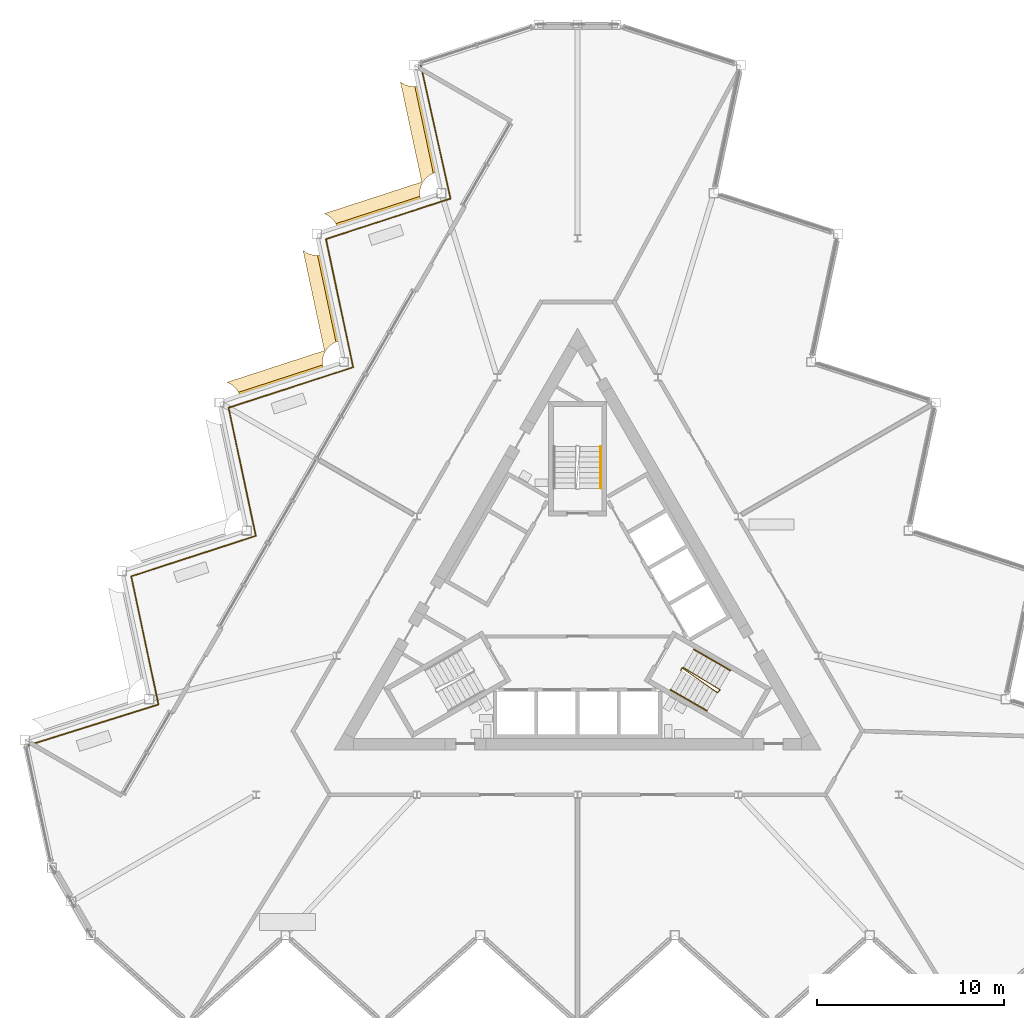
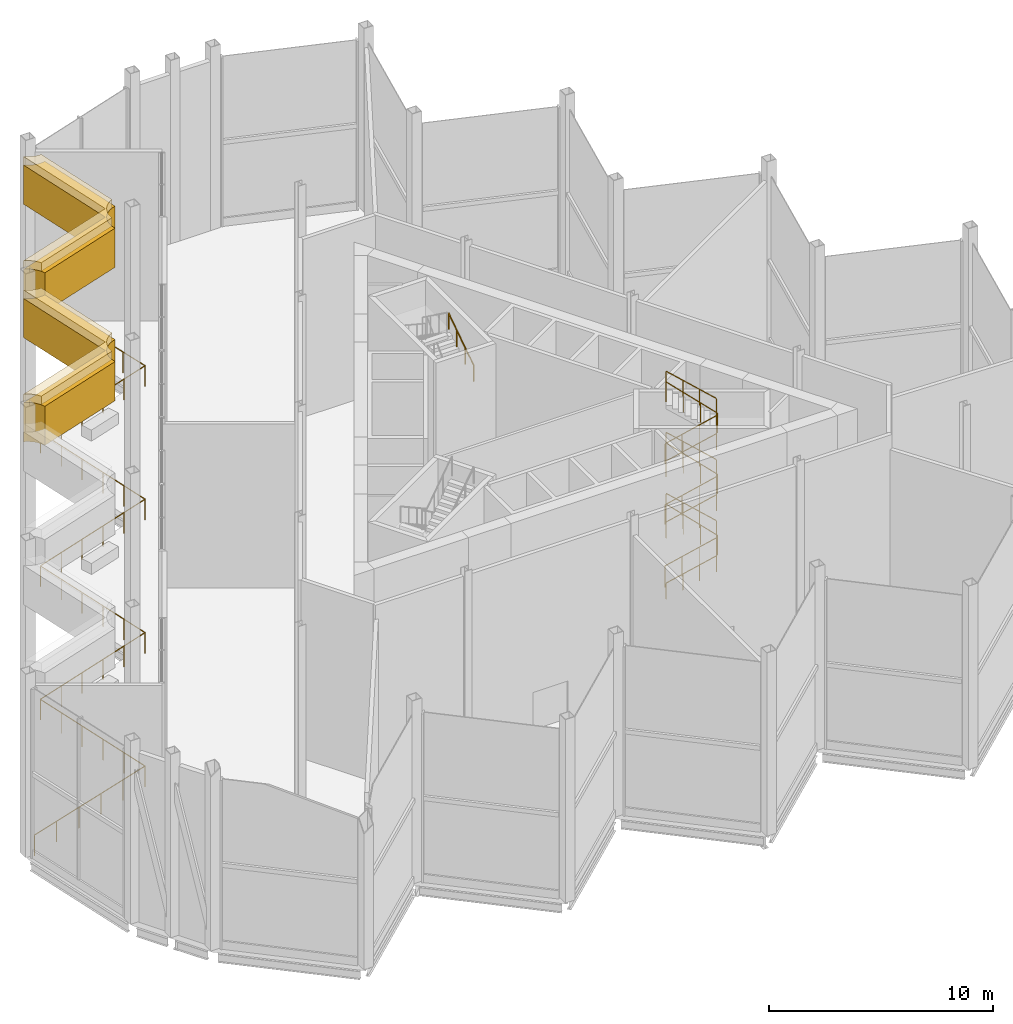
# One storey, part 16 of 18: 9 railings, 4 coverings.
"""IFC4 building model written with IfcOpenShell, lengths in metres."""

from ifc_helpers import new_model, si_unit, direction, frame, origin, origin_2d, place, context, subcontext, project, spatial, polyline, circle, outline, extrude, material, layer, layer_set, type_object, element, save


model = new_model("IFC4")

# Units and contexts
model_context = context("Model", 3, precision=1e-05, world=origin(), true_north=direction((0.0, 1.0)))
body_context = subcontext(model_context, "Body", "Model", "MODEL_VIEW")
ifc_project = project(units=[si_unit("LENGTHUNIT", "METRE"), si_unit("AREAUNIT", "SQUARE_METRE"), si_unit("VOLUMEUNIT", "CUBIC_METRE"), si_unit("PLANEANGLEUNIT", "RADIAN"), si_unit("MASSUNIT", "GRAM", prefix="KILO")], contexts=[model_context])

# Site, building, storey
site_placement = place(None, origin())
site = spatial("IfcSite", under=ifc_project, at=site_placement, CompositionType="ELEMENT")
building_placement = place(site_placement, origin())
building = spatial("IfcBuilding", under=site, at=building_placement, Name="Cormorant Prow Tower", CompositionType="ELEMENT")
storey_placement = place(building_placement, frame((0.0, 0.0, 405.199951171875)))
storey = spatial("IfcBuildingStorey", under=building, at=storey_placement, Name="L93", CompositionType="ELEMENT", Elevation=405.199951171875)

# Railings
ifc_material_1 = material(Name="Stainless steel", Category="steel")
railing_type_1 = type_object("IfcRailingType", Name="Stair guard 1100", PredefinedType="GUARDRAIL", material=ifc_material_1)
railing_1_placement = place(storey_placement, frame((5.510009765625, -3.267822265625, 0.0)))
element("IfcRailing", 1, at=railing_1_placement, inside=storey, type_object=railing_type_1, Name="L93 ST2 stair guard 1", PredefinedType="GUARDRAIL", context=body_context, shape_type="SweptSolid", body=[
    extrude(circle(Radius=0.02392578125, at=origin_2d()), frame((0.0, 0.0, 1.076171875), z_axis=(0.501036270542, 0.865426285481, 0.0), x_axis=(-0.865426285481, 0.501036270542, 0.0)), (0.0, 0.0, 1.0), 0.150146484375),
    extrude(circle(Radius=0.02392578125, at=origin_2d()), frame((0.0751953125, 0.1298828125, 1.076171875), z_axis=(0.663221673184, -0.464246572478, 0.587036738341), x_axis=(0.573455215813, 0.819236910458, 0.0)), (0.0, 0.0, 1.0), 2.83935546875),
    extrude(circle(Radius=0.02392578125, at=origin_2d()), frame((1.958251953125, -1.188232421875, 2.74267578125), z_axis=(0.695164929852, 0.718850276695, 0.0), x_axis=(-0.718850276695, 0.695164929852, 0.0)), (0.0, 0.0, 1.0), 0.2060546875),
    extrude(circle(Radius=0.02392578125, at=origin_2d()), frame((2.1015625, -1.0400390625, 2.74267578125), z_axis=(-0.69128044623, 0.419456667722, 0.588376961278), x_axis=(-0.518752825935, -0.854924268918, 0.0)), (0.0, 0.0, 1.0), 2.832763671875),
    extrude(circle(Radius=0.02392578125, at=origin_2d()), frame((0.143310546875, 0.148193359375, 4.40966796875), z_axis=(-0.965715946433, -0.259601060869, 0.0), x_axis=(0.259601060869, -0.965715946433, 0.0)), (0.0, 0.0, 1.0), 0.070556640625),
    extrude(circle(Radius=0.02392578125, at=origin_2d()), frame((0.0751953125, 0.1298828125, 4.40966796875), z_axis=(0.663255151256, -0.464270006694, 0.586980378902), x_axis=(0.573455215813, 0.819236910458, 0.0)), (0.0, 0.0, 1.0), 2.839111328125),
    extrude(circle(Radius=0.02392578125, at=origin_2d()), frame((1.958251953125, -1.188232421875, 6.076171875), z_axis=(0.695164929852, 0.718850276695, 0.0), x_axis=(-0.718850276695, 0.695164929852, 0.0)), (0.0, 0.0, 1.0), 0.2060546875),
    extrude(circle(Radius=0.02392578125, at=origin_2d()), frame((2.1015625, -1.0400390625, 6.076171875), z_axis=(-0.69128044623, 0.419456667722, 0.588376961278), x_axis=(-0.518752825935, -0.854924268918, 0.0)), (0.0, 0.0, 1.0), 2.832763671875),
    extrude(circle(Radius=0.02392578125, at=origin_2d()), frame((0.143310546875, 0.148193359375, 7.74267578125), z_axis=(-0.965715946433, -0.259601060869, 0.0), x_axis=(0.259601060869, -0.965715946433, 0.0)), (0.0, 0.0, 1.0), 0.070556640625),
    extrude(circle(Radius=0.02392578125, at=origin_2d()), frame((0.0751953125, 0.1298828125, 7.74267578125), z_axis=(0.663221673184, -0.464246572478, 0.587036738341), x_axis=(0.573455215813, 0.819236910458, 0.0)), (0.0, 0.0, 1.0), 2.83935546875),
    extrude(circle(Radius=0.02392578125, at=origin_2d()), frame((1.958251953125, -1.188232421875, 9.40966796875), z_axis=(0.695164929852, 0.718850276695, 0.0), x_axis=(-0.718850276695, 0.695164929852, 0.0)), (0.0, 0.0, 1.0), 0.2060546875),
    extrude(circle(Radius=0.02392578125, at=origin_2d()), frame((2.1015625, -1.0400390625, 9.40966796875), z_axis=(-0.691315500176, 0.419477937833, 0.588320608927), x_axis=(-0.518752825935, -0.854924268918, 0.0)), (0.0, 0.0, 1.0), 2.832763671875),
    extrude(circle(Radius=0.02099609375, at=origin_2d()), origin(), (0.0, 0.0, 1.0), 1.052001953125),
    extrude(circle(Radius=0.02099609375, at=origin_2d()), frame((0.0751953125, 0.1298828125, 0.0)), (0.0, 0.0, 1.0), 1.052001953125),
    extrude(circle(Radius=0.02099609375, at=origin_2d()), frame((0.702880859375, -0.3095703125, 0.5556640625)), (0.0, 0.0, 1.0), 1.052001953125),
    extrude(circle(Radius=0.02099609375, at=origin_2d()), frame((1.33056640625, -0.748779296875, 1.111083984375)), (0.0, 0.0, 1.0), 1.052001953125),
    extrude(circle(Radius=0.02099609375, at=origin_2d()), frame((1.958251953125, -1.188232421875, 1.666748046875)), (0.0, 0.0, 1.0), 1.052001953125),
    extrude(circle(Radius=0.02099609375, at=origin_2d()), frame((2.1015625, -1.0400390625, 1.666748046875)), (0.0, 0.0, 1.0), 1.052001953125),
    extrude(circle(Radius=0.02099609375, at=origin_2d()), frame((1.44873046875, -0.64404296875, 2.222412109375)), (0.0, 0.0, 1.0), 1.052001953125),
    extrude(circle(Radius=0.02099609375, at=origin_2d()), frame((0.796142578125, -0.247802734375, 2.77783203125)), (0.0, 0.0, 1.0), 1.052001953125),
    extrude(circle(Radius=0.02099609375, at=origin_2d()), frame((0.143310546875, 0.148193359375, 3.33349609375)), (0.0, 0.0, 1.0), 1.052001953125),
    extrude(circle(Radius=0.02099609375, at=origin_2d()), frame((0.0751953125, 0.1298828125, 3.33349609375)), (0.0, 0.0, 1.0), 1.052001953125),
    extrude(circle(Radius=0.02099609375, at=origin_2d()), frame((0.702880859375, -0.3095703125, 3.888916015625)), (0.0, 0.0, 1.0), 1.052001953125),
    extrude(circle(Radius=0.02099609375, at=origin_2d()), frame((1.33056640625, -0.748779296875, 4.444580078125)), (0.0, 0.0, 1.0), 1.052001953125),
    extrude(circle(Radius=0.02099609375, at=origin_2d()), frame((1.958251953125, -1.188232421875, 5.0)), (0.0, 0.0, 1.0), 1.052001953125),
    extrude(circle(Radius=0.02099609375, at=origin_2d()), frame((2.1015625, -1.0400390625, 5.0)), (0.0, 0.0, 1.0), 1.052001953125),
    extrude(circle(Radius=0.02099609375, at=origin_2d()), frame((1.44873046875, -0.64404296875, 5.5556640625)), (0.0, 0.0, 1.0), 1.052001953125),
    extrude(circle(Radius=0.02099609375, at=origin_2d()), frame((0.796142578125, -0.247802734375, 6.111083984375)), (0.0, 0.0, 1.0), 1.052001953125),
    extrude(circle(Radius=0.02099609375, at=origin_2d()), frame((0.143310546875, 0.148193359375, 6.666748046875)), (0.0, 0.0, 1.0), 1.052001953125),
    extrude(circle(Radius=0.02099609375, at=origin_2d()), frame((0.0751953125, 0.1298828125, 6.666748046875)), (0.0, 0.0, 1.0), 1.052001953125),
    extrude(circle(Radius=0.02099609375, at=origin_2d()), frame((0.702880859375, -0.3095703125, 7.222412109375)), (0.0, 0.0, 1.0), 1.052001953125),
    extrude(circle(Radius=0.02099609375, at=origin_2d()), frame((1.33056640625, -0.748779296875, 7.77783203125)), (0.0, 0.0, 1.0), 1.052001953125),
    extrude(circle(Radius=0.02099609375, at=origin_2d()), frame((1.958251953125, -1.188232421875, 8.33349609375)), (0.0, 0.0, 1.0), 1.052001953125),
    extrude(circle(Radius=0.02099609375, at=origin_2d()), frame((2.1015625, -1.0400390625, 8.33349609375)), (0.0, 0.0, 1.0), 1.052001953125),
    extrude(circle(Radius=0.02099609375, at=origin_2d()), frame((1.44873046875, -0.64404296875, 8.888916015625)), (0.0, 0.0, 1.0), 1.052001953125),
    extrude(circle(Radius=0.02099609375, at=origin_2d()), frame((0.796142578125, -0.247802734375, 9.444580078125)), (0.0, 0.0, 1.0), 1.052001953125),
    extrude(circle(Radius=0.02099609375, at=origin_2d()), frame((0.143310546875, 0.148193359375, 10.0)), (0.0, 0.0, 1.0), 1.052001953125),
])
ifc_material_2 = material(Name="Stainless steel", Category="steel")
railing_type_2 = type_object("IfcRailingType", Name="Stair handrail 900", PredefinedType="HANDRAIL", material=ifc_material_2)
railing_2_placement = place(storey_placement, frame((4.968994140625, -4.30517578125, 0.185302734375)))
element("IfcRailing", 2, at=railing_2_placement, inside=storey, type_object=railing_type_2, Name="L93 ST2 stair handrail 1", PredefinedType="HANDRAIL", context=body_context, shape_type="SweptSolid", body=[
    extrude(circle(Radius=0.02392578125, at=origin_2d()), frame((0.0, 0.0, 0.8759765625), z_axis=(0.72229244732, -0.417102296828, 0.551651424838), x_axis=(0.500077830873, 0.865980463445, 0.0)), (0.0, 0.0, 1.0), 2.685546875),
    extrude(circle(Radius=0.02099609375, at=origin_2d()), origin(), (0.0, 0.0, 1.0), 0.851806640625),
    extrude(circle(Radius=0.02099609375, at=origin_2d()), frame((0.646484375, -0.373291015625, 0.493896484375)), (0.0, 0.0, 1.0), 0.851806640625),
    extrude(circle(Radius=0.02099609375, at=origin_2d()), frame((1.293212890625, -0.746826171875, 0.987548828125)), (0.0, 0.0, 1.0), 0.851806640625),
    extrude(circle(Radius=0.02099609375, at=origin_2d()), frame((1.939697265625, -1.1201171875, 1.4814453125)), (0.0, 0.0, 1.0), 0.851806640625),
])
railing_3_placement = place(storey_placement, frame((8.15283203125, -3.2705078125, 1.851806640625)))
element("IfcRailing", 3, at=railing_3_placement, inside=storey, type_object=railing_type_2, Name="L93 ST2 stair handrail 2", PredefinedType="HANDRAIL", context=body_context, shape_type="SweptSolid", body=[
    extrude(circle(Radius=0.02392578125, at=origin_2d()), frame((0.0, 0.0, 0.8759765625), z_axis=(-0.72232708515, 0.416978900023, 0.551699355622), x_axis=(-0.49994888933, -0.866054910533, 0.0)), (0.0, 0.0, 1.0), 2.685791015625),
    extrude(circle(Radius=0.02099609375, at=origin_2d()), origin(), (0.0, 0.0, 1.0), 0.851806640625),
    extrude(circle(Radius=0.02099609375, at=origin_2d()), frame((-0.646728515625, 0.373291015625, 0.493896484375)), (0.0, 0.0, 1.0), 0.851806640625),
    extrude(circle(Radius=0.02099609375, at=origin_2d()), frame((-1.293212890625, 0.74658203125, 0.98779296875)), (0.0, 0.0, 1.0), 0.851806640625),
    extrude(circle(Radius=0.02099609375, at=origin_2d()), frame((-1.93994140625, 1.119873046875, 1.481689453125)), (0.0, 0.0, 1.0), 0.851806640625),
])
railing_4_placement = place(storey_placement, frame((4.968994140625, -4.30517578125, 3.5185546875)))
element("IfcRailing", 4, at=railing_4_placement, inside=storey, type_object=railing_type_2, Name="L93 ST2 stair handrail 3", PredefinedType="HANDRAIL", context=body_context, shape_type="SweptSolid", body=[
    extrude(circle(Radius=0.02392578125, at=origin_2d()), frame((0.0, 0.0, 0.8759765625), z_axis=(0.72229244732, -0.417102296828, 0.551651424838), x_axis=(0.500077830873, 0.865980463445, 0.0)), (0.0, 0.0, 1.0), 2.685546875),
    extrude(circle(Radius=0.02099609375, at=origin_2d()), origin(), (0.0, 0.0, 1.0), 0.851806640625),
    extrude(circle(Radius=0.02099609375, at=origin_2d()), frame((0.646484375, -0.373291015625, 0.493896484375)), (0.0, 0.0, 1.0), 0.851806640625),
    extrude(circle(Radius=0.02099609375, at=origin_2d()), frame((1.293212890625, -0.746826171875, 0.987548828125)), (0.0, 0.0, 1.0), 0.851806640625),
    extrude(circle(Radius=0.02099609375, at=origin_2d()), frame((1.939697265625, -1.1201171875, 1.4814453125)), (0.0, 0.0, 1.0), 0.851806640625),
])
railing_5_placement = place(storey_placement, frame((8.15283203125, -3.2705078125, 5.185302734375)))
element("IfcRailing", 5, at=railing_5_placement, inside=storey, type_object=railing_type_2, Name="L93 ST2 stair handrail 4", PredefinedType="HANDRAIL", context=body_context, shape_type="SweptSolid", body=[
    extrude(circle(Radius=0.02392578125, at=origin_2d()), frame((0.0, 0.0, 0.8759765625), z_axis=(-0.722363311002, 0.416999812178, 0.551636115172), x_axis=(-0.49994888933, -0.866054910533, 0.0)), (0.0, 0.0, 1.0), 2.685546875),
    extrude(circle(Radius=0.02099609375, at=origin_2d()), origin(), (0.0, 0.0, 1.0), 0.851806640625),
    extrude(circle(Radius=0.02099609375, at=origin_2d()), frame((-0.646728515625, 0.373291015625, 0.493896484375)), (0.0, 0.0, 1.0), 0.851806640625),
    extrude(circle(Radius=0.02099609375, at=origin_2d()), frame((-1.293212890625, 0.74658203125, 0.987548828125)), (0.0, 0.0, 1.0), 0.851806640625),
    extrude(circle(Radius=0.02099609375, at=origin_2d()), frame((-1.93994140625, 1.119873046875, 1.4814453125)), (0.0, 0.0, 1.0), 0.851806640625),
])
railing_6_placement = place(storey_placement, frame((4.968994140625, -4.30517578125, 6.851806640625)))
element("IfcRailing", 6, at=railing_6_placement, inside=storey, type_object=railing_type_2, Name="L93 ST2 stair handrail 5", PredefinedType="HANDRAIL", context=body_context, shape_type="SweptSolid", body=[
    extrude(circle(Radius=0.02392578125, at=origin_2d()), frame((0.0, 0.0, 0.8759765625), z_axis=(0.722256223011, -0.417081378373, 0.551714665507), x_axis=(0.500077830873, 0.865980463445, 0.0)), (0.0, 0.0, 1.0), 2.685546875),
    extrude(circle(Radius=0.02099609375, at=origin_2d()), origin(), (0.0, 0.0, 1.0), 0.851806640625),
    extrude(circle(Radius=0.02099609375, at=origin_2d()), frame((0.646484375, -0.373291015625, 0.493896484375)), (0.0, 0.0, 1.0), 0.851806640625),
    extrude(circle(Radius=0.02099609375, at=origin_2d()), frame((1.293212890625, -0.746826171875, 0.98779296875)), (0.0, 0.0, 1.0), 0.851806640625),
    extrude(circle(Radius=0.02099609375, at=origin_2d()), frame((1.939697265625, -1.1201171875, 1.481689453125)), (0.0, 0.0, 1.0), 0.851806640625),
])
railing_7_placement = place(storey_placement, frame((8.15283203125, -3.2705078125, 8.5185546875)))
element("IfcRailing", 7, at=railing_7_placement, inside=storey, type_object=railing_type_2, Name="L93 ST2 stair handrail 6", PredefinedType="HANDRAIL", context=body_context, shape_type="SweptSolid", body=[
    extrude(circle(Radius=0.02392578125, at=origin_2d()), frame((0.0, 0.0, 0.8759765625), z_axis=(-0.722363311002, 0.416999812178, 0.551636115172), x_axis=(-0.49994888933, -0.866054910533, 0.0)), (0.0, 0.0, 1.0), 2.685546875),
    extrude(circle(Radius=0.02099609375, at=origin_2d()), origin(), (0.0, 0.0, 1.0), 0.851806640625),
    extrude(circle(Radius=0.02099609375, at=origin_2d()), frame((-0.646728515625, 0.373291015625, 0.493896484375)), (0.0, 0.0, 1.0), 0.851806640625),
    extrude(circle(Radius=0.02099609375, at=origin_2d()), frame((-1.293212890625, 0.74658203125, 0.987548828125)), (0.0, 0.0, 1.0), 0.851806640625),
    extrude(circle(Radius=0.02099609375, at=origin_2d()), frame((-1.93994140625, 1.119873046875, 1.4814453125)), (0.0, 0.0, 1.0), 0.851806640625),
])
railing_8_placement = place(storey_placement, frame((1.243896484375, 6.455810546875, 6.851806640625)))
element("IfcRailing", 8, at=railing_8_placement, inside=storey, type_object=railing_type_2, Name="L93 ST3 stair handrail 5", PredefinedType="HANDRAIL", context=body_context, shape_type="SweptSolid", body=[
    extrude(circle(Radius=0.02392578125, at=origin_2d()), frame((0.0, 0.0, 0.8759765625), z_axis=(0.0, 0.834044775973, 0.551696756989), x_axis=(-1.0, 0.0, 0.0)), (0.0, 0.0, 1.0), 2.685791015625),
    extrude(circle(Radius=0.02099609375, at=origin_2d()), origin(), (0.0, 0.0, 1.0), 0.851806640625),
    extrude(circle(Radius=0.02099609375, at=origin_2d()), frame((0.0, 0.74658203125, 0.493896484375)), (0.0, 0.0, 1.0), 0.851806640625),
    extrude(circle(Radius=0.02099609375, at=origin_2d()), frame((0.0, 1.493408203125, 0.98779296875)), (0.0, 0.0, 1.0), 0.851806640625),
    extrude(circle(Radius=0.02099609375, at=origin_2d()), frame((0.0, 2.239990234375, 1.481689453125)), (0.0, 0.0, 1.0), 0.851806640625),
])
ifc_material_3 = material(Name="Aluminium 6063-T6", Category="aluminium")
railing_type_3 = type_object("IfcRailingType", Name="Terrace guard 1150", PredefinedType="GUARDRAIL", material=ifc_material_3)
railing_9_placement = place(storey_placement, frame((-8.372802734375, 29.04931640625, 0.0)))
element("IfcRailing", 9, at=railing_9_placement, inside=storey, type_object=railing_type_3, Name="Terrace guard WNW", PredefinedType="GUARDRAIL", context=body_context, shape_type="SweptSolid", body=[
    extrude(circle(Radius=0.02392578125, at=origin_2d()), frame((0.0, 0.0, 1.1259765625), z_axis=(0.21776677651, -0.976000835578, 0.0), x_axis=(0.976000835578, 0.21776677651, 0.0)), (0.0, 0.0, 1.0), 7.2939453125),
    extrude(circle(Radius=0.02392578125, at=origin_2d()), frame((1.58837890625, -7.118896484375, 1.1259765625), z_axis=(-0.951053040899, -0.309027690338, 0.0), x_axis=(0.309027690338, -0.951053040899, 0.0)), (0.0, 0.0, 1.0), 6.997314453125),
    extrude(circle(Radius=0.02392578125, at=origin_2d()), frame((-5.06640625, -9.28125, 1.1259765625), z_axis=(0.20791091614, -0.978147765396, 0.0), x_axis=(0.978147765396, 0.20791091614, 0.0)), (0.0, 0.0, 1.0), 6.997314453125),
    extrude(circle(Radius=0.02392578125, at=origin_2d()), frame((-3.611572265625, -16.125732421875, 1.1259765625), z_axis=(-0.951053040899, -0.309027690338, 0.0), x_axis=(0.309027690338, -0.951053040899, 0.0)), (0.0, 0.0, 1.0), 6.997314453125),
    extrude(circle(Radius=0.02392578125, at=origin_2d()), frame((-10.266357421875, -18.2880859375, 1.1259765625), z_axis=(0.207918011921, -0.978146257121, 0.0), x_axis=(0.978146257121, 0.207918011921, 0.0)), (0.0, 0.0, 1.0), 6.9970703125),
    extrude(circle(Radius=0.02392578125, at=origin_2d()), frame((-8.8115234375, -25.13232421875, 1.1259765625), z_axis=(-0.951053040899, -0.309027690338, 0.0), x_axis=(0.309027690338, -0.951053040899, 0.0)), (0.0, 0.0, 1.0), 6.997314453125),
    extrude(circle(Radius=0.02392578125, at=origin_2d()), frame((-15.46630859375, -27.294677734375, 1.1259765625), z_axis=(0.207884628483, -0.978153352619, 0.0), x_axis=(0.978153352619, 0.207884628483, 0.0)), (0.0, 0.0, 1.0), 6.9970703125),
    extrude(circle(Radius=0.02392578125, at=origin_2d()), frame((-14.01171875, -34.138916015625, 1.1259765625), z_axis=(-0.954115365436, -0.299439258347, 0.0), x_axis=(0.299439258347, -0.954115365436, 0.0)), (0.0, 0.0, 1.0), 7.2939453125),
    extrude(circle(Radius=0.02099609375, at=origin_2d()), origin(), (0.0, 0.0, 1.0), 1.101806640625),
    extrude(circle(Radius=0.02099609375, at=origin_2d()), frame((0.317626953125, -1.423828125, 0.0)), (0.0, 0.0, 1.0), 1.101806640625),
    extrude(circle(Radius=0.02099609375, at=origin_2d()), frame((0.63525390625, -2.84765625, 0.0)), (0.0, 0.0, 1.0), 1.101806640625),
    extrude(circle(Radius=0.02099609375, at=origin_2d()), frame((0.953125, -4.271240234375, 0.0)), (0.0, 0.0, 1.0), 1.101806640625),
    extrude(circle(Radius=0.02099609375, at=origin_2d()), frame((1.270751953125, -5.695068359375, 0.0)), (0.0, 0.0, 1.0), 1.101806640625),
    extrude(circle(Radius=0.02099609375, at=origin_2d()), frame((1.58837890625, -7.118896484375, 0.0)), (0.0, 0.0, 1.0), 1.101806640625),
    extrude(circle(Radius=0.02099609375, at=origin_2d()), frame((0.25732421875, -7.55126953125, 0.0)), (0.0, 0.0, 1.0), 1.101806640625),
    extrude(circle(Radius=0.02099609375, at=origin_2d()), frame((-1.073486328125, -7.98388671875, 0.0)), (0.0, 0.0, 1.0), 1.101806640625),
    extrude(circle(Radius=0.02099609375, at=origin_2d()), frame((-2.404541015625, -8.416259765625, 0.0)), (0.0, 0.0, 1.0), 1.101806640625),
    extrude(circle(Radius=0.02099609375, at=origin_2d()), frame((-3.7353515625, -8.848876953125, 0.0)), (0.0, 0.0, 1.0), 1.101806640625),
    extrude(circle(Radius=0.02099609375, at=origin_2d()), frame((-5.06640625, -9.28125, 0.0)), (0.0, 0.0, 1.0), 1.101806640625),
    extrude(circle(Radius=0.02099609375, at=origin_2d()), frame((-4.775390625, -10.650146484375, 0.0)), (0.0, 0.0, 1.0), 1.101806640625),
    extrude(circle(Radius=0.02099609375, at=origin_2d()), frame((-4.484375, -12.01904296875, 0.0)), (0.0, 0.0, 1.0), 1.101806640625),
    extrude(circle(Radius=0.02099609375, at=origin_2d()), frame((-4.193603515625, -13.387939453125, 0.0)), (0.0, 0.0, 1.0), 1.101806640625),
    extrude(circle(Radius=0.02099609375, at=origin_2d()), frame((-3.902587890625, -14.7568359375, 0.0)), (0.0, 0.0, 1.0), 1.101806640625),
    extrude(circle(Radius=0.02099609375, at=origin_2d()), frame((-3.611572265625, -16.125732421875, 0.0)), (0.0, 0.0, 1.0), 1.101806640625),
    extrude(circle(Radius=0.02099609375, at=origin_2d()), frame((-4.942626953125, -16.55810546875, 0.0)), (0.0, 0.0, 1.0), 1.101806640625),
    extrude(circle(Radius=0.02099609375, at=origin_2d()), frame((-6.2734375, -16.99072265625, 0.0)), (0.0, 0.0, 1.0), 1.101806640625),
    extrude(circle(Radius=0.02099609375, at=origin_2d()), frame((-7.6044921875, -17.423095703125, 0.0)), (0.0, 0.0, 1.0), 1.101806640625),
    extrude(circle(Radius=0.02099609375, at=origin_2d()), frame((-8.935302734375, -17.855712890625, 0.0)), (0.0, 0.0, 1.0), 1.101806640625),
    extrude(circle(Radius=0.02099609375, at=origin_2d()), frame((-10.266357421875, -18.2880859375, 0.0)), (0.0, 0.0, 1.0), 1.101806640625),
    extrude(circle(Radius=0.02099609375, at=origin_2d()), frame((-9.975341796875, -19.656982421875, 0.0)), (0.0, 0.0, 1.0), 1.101806640625),
    extrude(circle(Radius=0.02099609375, at=origin_2d()), frame((-9.684326171875, -21.02587890625, 0.0)), (0.0, 0.0, 1.0), 1.101806640625),
    extrude(circle(Radius=0.02099609375, at=origin_2d()), frame((-9.3935546875, -22.39453125, 0.0)), (0.0, 0.0, 1.0), 1.101806640625),
    extrude(circle(Radius=0.02099609375, at=origin_2d()), frame((-9.1025390625, -23.763427734375, 0.0)), (0.0, 0.0, 1.0), 1.101806640625),
    extrude(circle(Radius=0.02099609375, at=origin_2d()), frame((-8.8115234375, -25.13232421875, 0.0)), (0.0, 0.0, 1.0), 1.101806640625),
    extrude(circle(Radius=0.02099609375, at=origin_2d()), frame((-10.142578125, -25.564697265625, 0.0)), (0.0, 0.0, 1.0), 1.101806640625),
    extrude(circle(Radius=0.02099609375, at=origin_2d()), frame((-11.473388671875, -25.997314453125, 0.0)), (0.0, 0.0, 1.0), 1.101806640625),
    extrude(circle(Radius=0.02099609375, at=origin_2d()), frame((-12.804443359375, -26.4296875, 0.0)), (0.0, 0.0, 1.0), 1.101806640625),
    extrude(circle(Radius=0.02099609375, at=origin_2d()), frame((-14.13525390625, -26.8623046875, 0.0)), (0.0, 0.0, 1.0), 1.101806640625),
    extrude(circle(Radius=0.02099609375, at=origin_2d()), frame((-15.46630859375, -27.294677734375, 0.0)), (0.0, 0.0, 1.0), 1.101806640625),
    extrude(circle(Radius=0.02099609375, at=origin_2d()), frame((-15.17529296875, -28.66357421875, 0.0)), (0.0, 0.0, 1.0), 1.101806640625),
    extrude(circle(Radius=0.02099609375, at=origin_2d()), frame((-14.884521484375, -30.032470703125, 0.0)), (0.0, 0.0, 1.0), 1.101806640625),
    extrude(circle(Radius=0.02099609375, at=origin_2d()), frame((-14.593505859375, -31.401123046875, 0.0)), (0.0, 0.0, 1.0), 1.101806640625),
    extrude(circle(Radius=0.02099609375, at=origin_2d()), frame((-14.302734375, -32.77001953125, 0.0)), (0.0, 0.0, 1.0), 1.101806640625),
    extrude(circle(Radius=0.02099609375, at=origin_2d()), frame((-14.01171875, -34.138916015625, 0.0)), (0.0, 0.0, 1.0), 1.101806640625),
    extrude(circle(Radius=0.02099609375, at=origin_2d()), frame((-15.403564453125, -34.57568359375, 0.0)), (0.0, 0.0, 1.0), 1.101806640625),
    extrude(circle(Radius=0.02099609375, at=origin_2d()), frame((-16.79541015625, -35.012451171875, 0.0)), (0.0, 0.0, 1.0), 1.101806640625),
    extrude(circle(Radius=0.02099609375, at=origin_2d()), frame((-18.187255859375, -35.449462890625, 0.0)), (0.0, 0.0, 1.0), 1.101806640625),
    extrude(circle(Radius=0.02099609375, at=origin_2d()), frame((-19.5791015625, -35.88623046875, 0.0)), (0.0, 0.0, 1.0), 1.101806640625),
    extrude(circle(Radius=0.02099609375, at=origin_2d()), frame((-20.970947265625, -36.322998046875, 0.0)), (0.0, 0.0, 1.0), 1.101806640625),
])

# Coverings
ifc_material_4 = material(Name="Terracotta", Category="masonry")
ifc_layer = layer(ifc_material_4, 0.89990234375)
ifc_layer_set = layer_set([ifc_layer], Name="Terracotta")
covering_type = type_object("IfcCoveringType", Name="Terrace lintel fascia 900", PredefinedType="CLADDING", material=ifc_layer_set)
covering_1_placement = place(storey_placement, frame((0.0, 0.0, 7.10009765625)))
element("IfcCovering", 10, at=covering_1_placement, inside=storey, type_object=covering_type, Name="Terrace lintel L93", PredefinedType="CLADDING", context=body_context, shape_type="SweptSolid", body=[
    extrude(outline(polyline([(-12.712890625, 14.330322265625), (-12.8076171875, 14.306640625), (-12.913818359375, 14.268798828125), (-13.015869140625, 14.220458984375), (-13.11279296875, 14.162353515625), (-13.203369140625, 14.09521484375), (-13.287109375, 14.019287109375), (-13.36279296875, 13.935791015625), (-13.429931640625, 13.84521484375), (-13.488037109375, 13.748291015625), (-13.536376953125, 13.646240234375), (-13.57421875, 13.5400390625), (-13.601806640625, 13.430419921875), (-13.618408203125, 13.31884765625), (-13.623779296875, 13.206298828125), (-13.618408203125, 13.093505859375), (-13.601806640625, 12.981689453125), (-13.57421875, 12.872314453125), (-13.566650390625, 12.85107421875), (-18.03564453125, 11.39892578125), (-18.066162109375, 11.48388671875), (-18.114501953125, 11.5859375), (-18.17236328125, 11.682861328125), (-18.23974609375, 11.7734375), (-18.3154296875, 11.857177734375), (-18.399169921875, 11.932861328125), (-18.48974609375, 12.0), (-18.58642578125, 12.05810546875), (-18.6884765625, 12.1064453125), (-18.727783203125, 12.120361328125), (-13.522705078125, 13.811767578125), (-14.66015625, 19.163330078125), (-14.658203125, 19.16162109375), (-14.5673828125, 19.094482421875), (-14.470703125, 19.036376953125), (-14.36865234375, 18.988037109375), (-14.262451171875, 18.9501953125), (-14.153076171875, 18.922607421875), (-14.041259765625, 18.906005859375), (-13.9287109375, 18.900634765625), (-13.81591796875, 18.906005859375), (-13.704345703125, 18.922607421875), (-13.689697265625, 18.92626953125), (-12.712890625, 14.330322265625)])), origin(), (0.0, 0.0, 1.0), 2.1337890625),
])
covering_2_placement = place(storey_placement, frame((0.0, 0.0, 7.10009765625)))
element("IfcCovering", 11, at=covering_2_placement, inside=storey, type_object=covering_type, Name="Terrace lintel L93 part 3", PredefinedType="CLADDING", context=body_context, shape_type="SweptSolid", body=[
    extrude(outline(polyline([(-12.835693359375, 20.40576171875), (-12.8662109375, 20.49072265625), (-12.914306640625, 20.5927734375), (-12.972412109375, 20.689453125), (-13.039794921875, 20.780029296875), (-13.115478515625, 20.86376953125), (-13.19921875, 20.939453125), (-13.289794921875, 21.0068359375), (-13.386474609375, 21.064697265625), (-13.488525390625, 21.113037109375), (-13.52783203125, 21.127197265625), (-8.322509765625, 22.818359375), (-9.460205078125, 28.170166015625), (-9.458251953125, 28.168212890625), (-9.367431640625, 28.10107421875), (-9.270751953125, 28.04296875), (-9.168701171875, 27.994873046875), (-9.0625, 27.956787109375), (-8.952880859375, 27.92919921875), (-8.84130859375, 27.912841796875), (-8.728515625, 27.9072265625), (-8.615966796875, 27.912841796875), (-8.50439453125, 27.92919921875), (-8.48974609375, 27.93310546875), (-7.5126953125, 23.337158203125), (-7.607666015625, 23.313232421875), (-7.7138671875, 23.275390625), (-7.81591796875, 23.22705078125), (-7.91259765625, 23.1689453125), (-8.00341796875, 23.101806640625), (-8.0869140625, 23.02587890625), (-8.162841796875, 22.9423828125), (-8.22998046875, 22.851806640625), (-8.2880859375, 22.7548828125), (-8.336181640625, 22.65283203125), (-8.374267578125, 22.546630859375), (-8.401611328125, 22.437255859375), (-8.418212890625, 22.32568359375), (-8.423828125, 22.212890625), (-8.418212890625, 22.10009765625), (-8.401611328125, 21.988525390625), (-8.374267578125, 21.87890625), (-8.36669921875, 21.85791015625), (-12.835693359375, 20.40576171875)])), origin(), (0.0, 0.0, 1.0), 2.1337890625),
])
covering_3_placement = place(storey_placement, frame((0.0, 0.0, 9.23388671875)))
element("IfcCovering", 12, at=covering_3_placement, inside=storey, type_object=covering_type, Name="Terrace lintel L93 head", PredefinedType="CLADDING", context=body_context, shape_type="SweptSolid", body=[
    extrude(outline(polyline([(-12.913818359375, 14.268798828125), (-13.015869140625, 14.220458984375), (-13.11279296875, 14.162353515625), (-13.203369140625, 14.09521484375), (-13.287109375, 14.019287109375), (-13.36279296875, 13.935791015625), (-13.429931640625, 13.84521484375), (-13.488037109375, 13.748291015625), (-13.536376953125, 13.646240234375), (-13.57421875, 13.5400390625), (-13.601806640625, 13.430419921875), (-13.618408203125, 13.31884765625), (-13.623779296875, 13.206298828125), (-13.618408203125, 13.093505859375), (-13.611328125, 13.046875), (-18.113525390625, 11.583984375), (-18.114501953125, 11.5859375), (-18.17236328125, 11.682861328125), (-18.23974609375, 11.7734375), (-18.3154296875, 11.857177734375), (-18.399169921875, 11.932861328125), (-18.48974609375, 12.0), (-18.58642578125, 12.05810546875), (-18.6884765625, 12.1064453125), (-18.727783203125, 12.120361328125), (-13.522705078125, 13.811767578125), (-14.66015625, 19.163330078125), (-14.658203125, 19.16162109375), (-14.5673828125, 19.094482421875), (-14.470703125, 19.036376953125), (-14.36865234375, 18.988037109375), (-14.262451171875, 18.9501953125), (-14.153076171875, 18.922607421875), (-14.041259765625, 18.906005859375), (-13.9287109375, 18.900634765625), (-13.88916015625, 18.902587890625), (-12.90478515625, 14.27197265625), (-12.913818359375, 14.268798828125)])), origin(), (0.0, 0.0, 1.0), 0.466064453125),
])
covering_4_placement = place(storey_placement, frame((0.0, 0.0, 9.23388671875)))
element("IfcCovering", 13, at=covering_4_placement, inside=storey, type_object=covering_type, Name="Terrace lintel L93 head part 3", PredefinedType="CLADDING", context=body_context, shape_type="SweptSolid", body=[
    extrude(outline(polyline([(-12.914306640625, 20.5927734375), (-12.972412109375, 20.689453125), (-13.039794921875, 20.780029296875), (-13.115478515625, 20.86376953125), (-13.19921875, 20.939453125), (-13.289794921875, 21.0068359375), (-13.386474609375, 21.064697265625), (-13.488525390625, 21.113037109375), (-13.52783203125, 21.127197265625), (-8.322509765625, 22.818359375), (-9.460205078125, 28.170166015625), (-9.458251953125, 28.168212890625), (-9.367431640625, 28.10107421875), (-9.270751953125, 28.04296875), (-9.168701171875, 27.994873046875), (-9.0625, 27.956787109375), (-8.952880859375, 27.92919921875), (-8.84130859375, 27.912841796875), (-8.728515625, 27.9072265625), (-8.689208984375, 27.9091796875), (-7.704833984375, 23.278564453125), (-7.7138671875, 23.275390625), (-7.81591796875, 23.22705078125), (-7.91259765625, 23.1689453125), (-8.00341796875, 23.101806640625), (-8.0869140625, 23.02587890625), (-8.162841796875, 22.9423828125), (-8.22998046875, 22.851806640625), (-8.2880859375, 22.7548828125), (-8.336181640625, 22.65283203125), (-8.374267578125, 22.546630859375), (-8.401611328125, 22.437255859375), (-8.418212890625, 22.32568359375), (-8.423828125, 22.212890625), (-8.418212890625, 22.10009765625), (-8.411376953125, 22.053466796875), (-12.91357421875, 20.5908203125), (-12.914306640625, 20.5927734375)])), origin(), (0.0, 0.0, 1.0), 0.466064453125),
])

save(model, "model.ifc")
